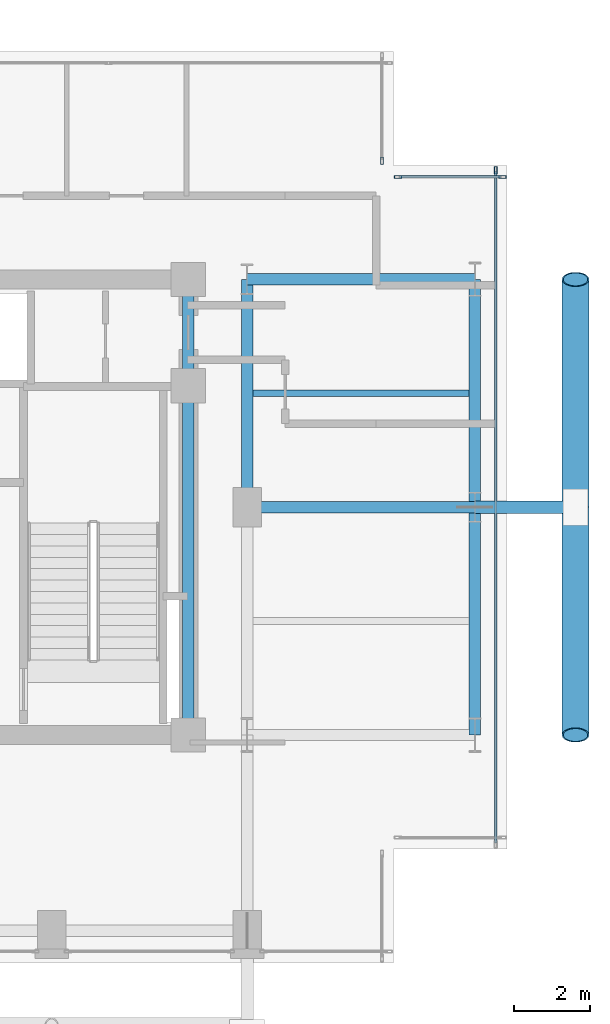
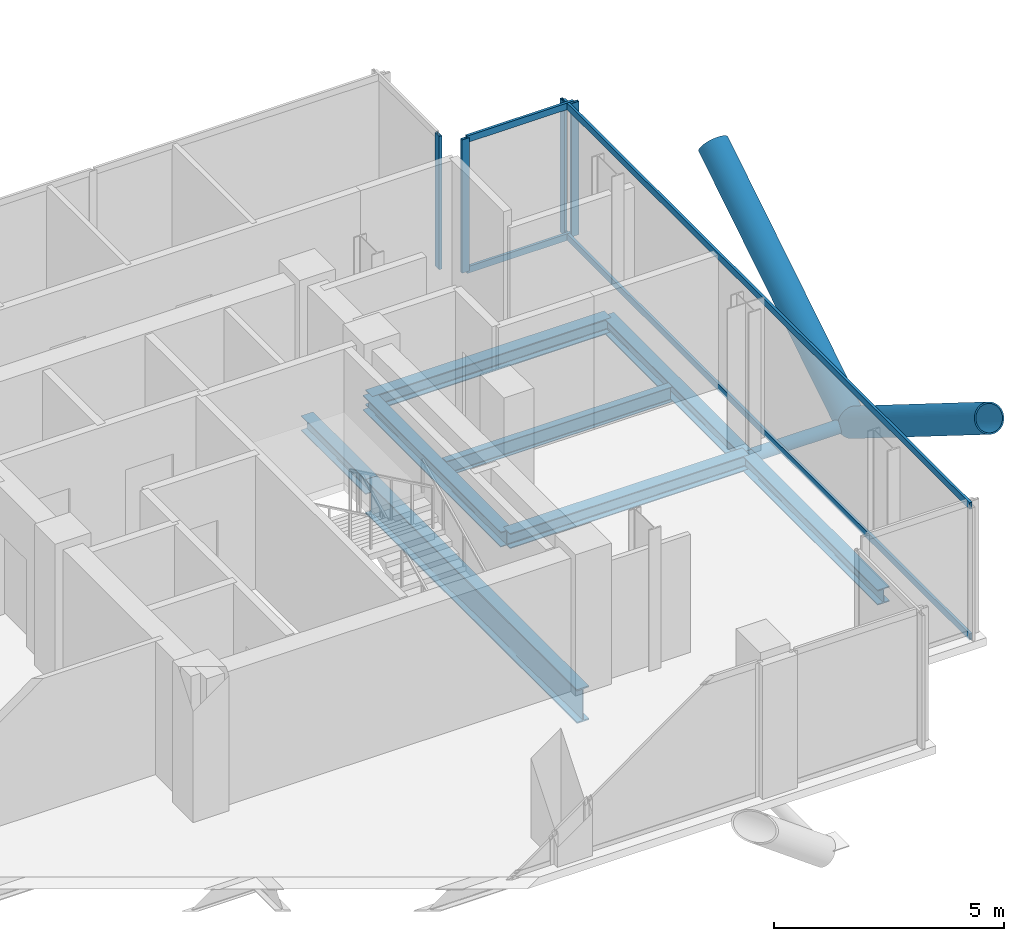
# One storey, part 11 of 21: 11 members, 8 beams, 3 elements without a shape of their own.
"""IFC4 building model written with IfcOpenShell, lengths in metres."""

from ifc_helpers import new_model, si_unit, direction, frame, origin, origin_2d, place, context, subcontext, project, spatial, hollow_rectangle, hollow_circle, i_section, extrude, material, layer, layer_set, material_profile, profile_set, type_object, element, aggregate, save


model = new_model("IFC4")

# Units and contexts
model_context = context("Model", 3, precision=1e-05, world=origin(), true_north=direction((0.0, 1.0)))
body_context = subcontext(model_context, "Body", "Model", "MODEL_VIEW")
ifc_project = project(units=[si_unit("LENGTHUNIT", "METRE"), si_unit("AREAUNIT", "SQUARE_METRE"), si_unit("VOLUMEUNIT", "CUBIC_METRE"), si_unit("PLANEANGLEUNIT", "RADIAN"), si_unit("MASSUNIT", "GRAM", prefix="KILO"), si_unit("THERMODYNAMICTEMPERATUREUNIT", "KELVIN"), si_unit("POWERUNIT", "WATT")], contexts=[model_context])

# Site, building, storey
site_placement = place(None, origin())
site = spatial("IfcSite", under=ifc_project, at=site_placement, CompositionType="ELEMENT")
building_placement = place(site_placement, origin())
building = spatial("IfcBuilding", under=site, at=building_placement, Name="Svarakhadi Broadcast Tower", CompositionType="ELEMENT")
storey_placement = place(building_placement, frame((0.0, 0.0, 208.64990234375)))
storey = spatial("IfcBuildingStorey", under=building, at=storey_placement, Name="L51", CompositionType="ELEMENT", Elevation=208.64990234375)

# Beam
ifc_material_1 = material(Name="Steel S355J2 (IS 2062 E350C)", Category="steel")
ifc_material_profile_1 = material_profile(ifc_material_1, i_section(OverallWidth=0.179931640625, OverallDepth=0.39990234375, WebThickness=0.008544921875, FlangeThickness=0.013427734375, FilletRadius=0.02099609375, at=origin_2d()), Name="NPB 400x180x66")
ifc_profile_set_1 = profile_set([ifc_material_profile_1], Name="Steel S355J2 (IS 2062 E350C)")
beam_type_1 = type_object("IfcBeamType", Name="Beam_NPB400", PredefinedType="BEAM", material=ifc_profile_set_1)
beam_1_placement = place(storey_placement, frame((35.31005859375, 15.0, -0.409912109375), z_axis=(1.0, 0.0, 0.0), x_axis=(0.0, 1.0, 0.0)))
element("IfcBeam", 1, at=beam_1_placement, inside=storey, type_object=beam_type_1, Name="L51 Secondary Composite Beam SB017", PredefinedType="BEAM", context=body_context, shape_type="SweptSolid", body=[
    extrude(i_section(OverallWidth=0.179931640625, OverallDepth=0.39990234375, WebThickness=0.008544921875, FlangeThickness=0.013427734375, FilletRadius=0.02099609375, at=origin_2d()), origin(), (0.0, 0.0, 1.0), 5.679931640625),
])

# Curtain wall, member
ifc_material_2 = material(Name="Anodised Bronze Aluminium AA 6063-T6", Category="aluminium")
ifc_layer = layer(ifc_material_2, 0.18994140625)
ifc_layer_set = layer_set([ifc_layer], Name="Anodised Bronze Aluminium AA 6063-T6")
curtain_wall_type = type_object("IfcCurtainWallType", Name="CW_Sys_04", PredefinedType="NOTDEFINED", material=ifc_layer_set)
curtain_wall_1_placement = place(storey_placement, origin())
curtain_wall_1 = element("IfcCurtainWall", 2, at=curtain_wall_1_placement, inside=storey, type_object=curtain_wall_type, Name="L51 Unitised Facade Curtain Wall 11", PredefinedType="NOTDEFINED")
ifc_material_profile_2 = material_profile(ifc_material_2, hollow_rectangle(XDim=0.070068359375, YDim=0.18994140625, WallThickness=0.005615234375, at=origin_2d()), Name="ALU MULLION 190x70x6")
ifc_profile_set_2 = profile_set([ifc_material_profile_2], Name="Anodised Bronze Aluminium AA 6063-T6")
member_type_1 = type_object("IfcMemberType", Name="CW_Sys_04_Mul", PredefinedType="MULLION", material=ifc_profile_set_2)
member_1_placement = place(storey_placement, frame((38.699951171875, 21.125, 0.0), z_axis=(0.0, 0.0, 1.0), x_axis=(1.0, 0.0, 0.0)))
member_1 = element("IfcMember", 3, at=member_1_placement, type_object=member_type_1, Name="CW-04 mullion 2", PredefinedType="MULLION", context=body_context, shape_type="SweptSolid", body=[
    extrude(hollow_rectangle(XDim=0.070068359375, YDim=0.18994140625, WallThickness=0.005615234375, at=origin_2d()), origin(), (0.0, 0.0, 1.0), 3.5400390625),
])
aggregate(curtain_wall_1, [member_1])

# Curtain wall, members
curtain_wall_2_placement = place(storey_placement, origin())
curtain_wall_2 = element("IfcCurtainWall", 4, at=curtain_wall_2_placement, inside=storey, type_object=curtain_wall_type, Name="L51 Unitised Facade Curtain Wall 12", PredefinedType="NOTDEFINED")
member_2_placement = place(storey_placement, frame((39.125, 20.699951171875, 0.0), z_axis=(0.0, 0.0, 1.0), x_axis=(0.0, 1.0, 0.0)))
member_2 = element("IfcMember", 5, at=member_2_placement, type_object=member_type_1, Name="CW-04 mullion 1", PredefinedType="MULLION", context=body_context, shape_type="SweptSolid", body=[
    extrude(hollow_rectangle(XDim=0.070068359375, YDim=0.18994140625, WallThickness=0.005615234375, at=origin_2d()), origin(), (0.0, 0.0, 1.0), 3.5400390625),
])
member_3_placement = place(storey_placement, frame((41.875, 20.699951171875, 0.0), z_axis=(0.0, 0.0, 1.0), x_axis=(0.0, 1.0, 0.0)))
member_3 = element("IfcMember", 6, at=member_3_placement, type_object=member_type_1, Name="CW-04 mullion 2", PredefinedType="MULLION", context=body_context, shape_type="SweptSolid", body=[
    extrude(hollow_rectangle(XDim=0.070068359375, YDim=0.18994140625, WallThickness=0.005615234375, at=origin_2d()), origin(), (0.0, 0.0, 1.0), 3.5400390625),
])

# Curtain wall, member
curtain_wall_3_placement = place(storey_placement, origin())
curtain_wall_3 = element("IfcCurtainWall", 7, at=curtain_wall_3_placement, inside=storey, type_object=curtain_wall_type, Name="L51 Unitised Facade Curtain Wall 13", PredefinedType="NOTDEFINED")
member_4_placement = place(storey_placement, frame((41.699951171875, 20.875, 0.0), z_axis=(0.0, 0.0, 1.0), x_axis=(1.0, 0.0, 0.0)))
member_4 = element("IfcMember", 8, at=member_4_placement, type_object=member_type_1, Name="CW-04 mullion 1", PredefinedType="MULLION", context=body_context, shape_type="SweptSolid", body=[
    extrude(hollow_rectangle(XDim=0.070068359375, YDim=0.18994140625, WallThickness=0.005615234375, at=origin_2d()), origin(), (0.0, 0.0, 1.0), 3.5400390625),
])

# Member
ifc_material_profile_3 = material_profile(ifc_material_2, hollow_rectangle(XDim=0.06494140625, YDim=0.175048828125, WallThickness=0.0048828125, at=origin_2d()), Name="ALU TRANSOM 175x65x5")
ifc_profile_set_3 = profile_set([ifc_material_profile_3], Name="Anodised Bronze Aluminium AA 6063-T6")
member_type_2 = type_object("IfcMemberType", Name="CW_Sys_04_Trn", PredefinedType="USERDEFINED", material=ifc_profile_set_3)
member_5_placement = place(storey_placement, frame((39.159912109375, 20.699951171875, 0.03271484375), z_axis=(1.0, 0.0, 0.0), x_axis=(0.0, 1.0, 0.0)))
member_5 = element("IfcMember", 9, at=member_5_placement, type_object=member_type_2, Name="CW-04 transom 1.1", ObjectType="TRANSOM", PredefinedType="USERDEFINED", context=body_context, shape_type="SweptSolid", body=[
    extrude(hollow_rectangle(XDim=0.06494140625, YDim=0.175048828125, WallThickness=0.0048828125, at=origin_2d()), origin(), (0.0, 0.0, 1.0), 2.68017578125),
])

member_6_placement = place(storey_placement, frame((39.159912109375, 20.699951171875, 3.507568359375), z_axis=(1.0, 0.0, 0.0), x_axis=(0.0, 1.0, 0.0)))
member_6 = element("IfcMember", 10, at=member_6_placement, type_object=member_type_2, Name="CW-04 transom 1.2", ObjectType="TRANSOM", PredefinedType="USERDEFINED", context=body_context, shape_type="SweptSolid", body=[
    extrude(hollow_rectangle(XDim=0.06494140625, YDim=0.175048828125, WallThickness=0.0048828125, at=origin_2d()), origin(), (0.0, 0.0, 1.0), 2.68017578125),
])

aggregate(curtain_wall_2, [member_2, member_3, member_5, member_6])

member_7_placement = place(storey_placement, frame((41.699951171875, 20.840087890625, 0.03271484375), z_axis=(0.0, -1.0, 0.0), x_axis=(1.0, 0.0, 0.0)))
member_7 = element("IfcMember", 11, at=member_7_placement, type_object=member_type_2, Name="CW-04 transom 1.1", ObjectType="TRANSOM", PredefinedType="USERDEFINED", context=body_context, shape_type="SweptSolid", body=[
    extrude(hollow_rectangle(XDim=0.06494140625, YDim=0.175048828125, WallThickness=0.0048828125, at=origin_2d()), origin(), (0.0, 0.0, 1.0), 17.68017578125),
])

member_8_placement = place(storey_placement, frame((41.699951171875, 20.840087890625, 3.507568359375), z_axis=(0.0, -1.0, 0.0), x_axis=(1.0, 0.0, 0.0)))
member_8 = element("IfcMember", 12, at=member_8_placement, type_object=member_type_2, Name="CW-04 transom 1.2", ObjectType="TRANSOM", PredefinedType="USERDEFINED", context=body_context, shape_type="SweptSolid", body=[
    extrude(hollow_rectangle(XDim=0.06494140625, YDim=0.175048828125, WallThickness=0.0048828125, at=origin_2d()), origin(), (0.0, 0.0, 1.0), 17.68017578125),
])

aggregate(curtain_wall_3, [member_4, member_7, member_8])

# Members
ifc_material_3 = material(Name="Steel S460ML (IS 2062 E450BR)", Category="steel")
ifc_material_profile_4 = material_profile(ifc_material_3, hollow_circle(Radius=0.35546875, WallThickness=0.034912109375, at=origin_2d()), Name="CHS 711x35")
ifc_profile_set_4 = profile_set([ifc_material_profile_4], Name="Steel S460ML (IS 2062 E450BR)")
member_type_3 = type_object("IfcMemberType", Name="Exo_Brace_CHS711", PredefinedType="BRACE", material=ifc_profile_set_4)
for number, where, z_axis, x_axis, name in (
    (13, (43.800048828125, 12.0, -0.371826171875), (0.0, -0.847998304005, 0.529998940003), (1.0, 0.0, 0.0), "L51 Exposed Bronze Exoskeleton Diagonal E04"),
    (14, (43.800048828125, 12.0, -0.371826171875), (0.0, 0.847998304005, 0.529998940003), (-1.0, 0.0, 0.0), "L51 Exposed Bronze Exoskeleton Diagonal E05"),
):
    element("IfcMember", number, at=place(storey_placement, frame(where, z_axis=z_axis, x_axis=x_axis)), inside=storey, type_object=member_type_3, Name=name, PredefinedType="BRACE", context=body_context, shape_type="SweptSolid", body=[
        extrude(hollow_circle(Radius=0.35546875, WallThickness=0.034912109375, at=origin_2d()), origin(), (0.0, 0.0, 1.0), 7.075439453125),
    ])
ifc_material_profile_5 = material_profile(ifc_material_3, hollow_circle(Radius=0.161865234375, WallThickness=0.01611328125, at=origin_2d()), Name="CHS 323.9x16")
ifc_profile_set_5 = profile_set([ifc_material_profile_5], Name="Steel S460ML (IS 2062 E450BR)")
member_type_4 = type_object("IfcMemberType", Name="Exo_Radial_Strut_Z2", PredefinedType="STRUT", material=ifc_profile_set_5)
member_9_placement = place(storey_placement, frame((43.800048828125, 12.0, -0.371826171875), z_axis=(-1.0, 0.0, 0.0), x_axis=(0.0, -1.0, 0.0)))
element("IfcMember", 15, at=member_9_placement, inside=storey, type_object=member_type_4, Name="L51 Exoskeleton Radial Tie Strut E06", PredefinedType="STRUT", context=body_context, shape_type="SweptSolid", body=[
    extrude(hollow_circle(Radius=0.161865234375, WallThickness=0.01611328125, at=origin_2d()), origin(), (0.0, 0.0, 1.0), 2.650146484375),
])

# Beams
ifc_material_profile_6 = material_profile(ifc_material_1, i_section(OverallWidth=0.300048828125, OverallDepth=0.39990234375, WebThickness=0.013427734375, FlangeThickness=0.02392578125, FilletRadius=0.027099609375, at=origin_2d()), Name="WPB 400x300x155")
ifc_profile_set_6 = profile_set([ifc_material_profile_6], Name="Steel S355J2 (IS 2062 E350C)")
beam_type_2 = type_object("IfcBeamType", Name="Girder_WPB400", PredefinedType="USERDEFINED", material=ifc_profile_set_6)
for number, where, z_axis, x_axis, name in (
    (16, (35.14990234375, 12.0, -0.409912109375), (1.0, 0.0, 0.0), (0.0, 1.0, 0.0), "L51 Primary E-W Girder G019"),
    (17, (35.14990234375, 18.0, -0.409912109375), (1.0, 0.0, 0.0), (0.0, 1.0, 0.0), "L51 Primary E-W Girder G025"),
):
    element("IfcBeam", number, at=place(storey_placement, frame(where, z_axis=z_axis, x_axis=x_axis)), inside=storey, type_object=beam_type_2, Name=name, ObjectType="GIRDER", PredefinedType="USERDEFINED", context=body_context, shape_type="SweptSolid", body=[
        extrude(i_section(OverallWidth=0.300048828125, OverallDepth=0.39990234375, WebThickness=0.013427734375, FlangeThickness=0.02392578125, FilletRadius=0.027099609375, at=origin_2d()), origin(), (0.0, 0.0, 1.0), 6.0),
    ])
beam_2_placement = place(storey_placement, frame((33.60009765625, 15.199951171875, -0.409912109375), z_axis=(0.0, 1.0, 0.0), x_axis=(-1.0, 0.0, 0.0)))
element("IfcBeam", 18, at=beam_2_placement, inside=storey, type_object=beam_type_2, Name="L51 Primary N-S Girder G055", ObjectType="GIRDER", PredefinedType="USERDEFINED", context=body_context, shape_type="SweptSolid", body=[
    extrude(i_section(OverallWidth=0.300048828125, OverallDepth=0.39990234375, WebThickness=0.013427734375, FlangeThickness=0.02392578125, FilletRadius=0.027099609375, at=origin_2d()), origin(), (0.0, 0.0, 1.0), 2.800048828125),
])
for number, where, z_axis, x_axis, name in (
    (19, (35.14990234375, 12.0, -0.409912109375), (0.0, 1.0, 0.0), (-1.0, 0.0, 0.0), "L51 Primary N-S Girder G058"),
    (20, (41.14990234375, 6.0, -0.409912109375), (0.0, 1.0, 0.0), (-1.0, 0.0, 0.0), "L51 Primary N-S Girder G059"),
    (21, (41.14990234375, 12.0, -0.409912109375), (0.0, 1.0, 0.0), (-1.0, 0.0, 0.0), "L51 Primary N-S Girder G060"),
):
    element("IfcBeam", number, at=place(storey_placement, frame(where, z_axis=z_axis, x_axis=x_axis)), inside=storey, type_object=beam_type_2, Name=name, ObjectType="GIRDER", PredefinedType="USERDEFINED", context=body_context, shape_type="SweptSolid", body=[
        extrude(i_section(OverallWidth=0.300048828125, OverallDepth=0.39990234375, WebThickness=0.013427734375, FlangeThickness=0.02392578125, FilletRadius=0.027099609375, at=origin_2d()), origin(), (0.0, 0.0, 1.0), 6.0),
    ])
ifc_material_profile_7 = material_profile(ifc_material_3, i_section(OverallWidth=0.300048828125, OverallDepth=0.89990234375, WebThickness=0.0185546875, FlangeThickness=0.034912109375, FilletRadius=0.030029296875, at=origin_2d()), Name="WPB 900x300x291")
ifc_profile_set_7 = profile_set([ifc_material_profile_7], Name="Steel S460ML (IS 2062 E450BR)")
beam_type_3 = type_object("IfcBeamType", Name="Girder_WPB900", PredefinedType="USERDEFINED", material=ifc_profile_set_7)
beam_3_placement = place(storey_placement, frame((33.60009765625, 6.0, -0.659912109375), z_axis=(0.0, 1.0, 0.0), x_axis=(-1.0, 0.0, 0.0)))
element("IfcBeam", 22, at=beam_3_placement, inside=storey, type_object=beam_type_3, Name="L51 Primary N-S Girder G054", ObjectType="GIRDER", PredefinedType="USERDEFINED", context=body_context, shape_type="SweptSolid", body=[
    extrude(i_section(OverallWidth=0.300048828125, OverallDepth=0.89990234375, WebThickness=0.0185546875, FlangeThickness=0.034912109375, FilletRadius=0.030029296875, at=origin_2d()), origin(), (0.0, 0.0, 1.0), 9.199951171875),
])

save(model, "model.ifc")
